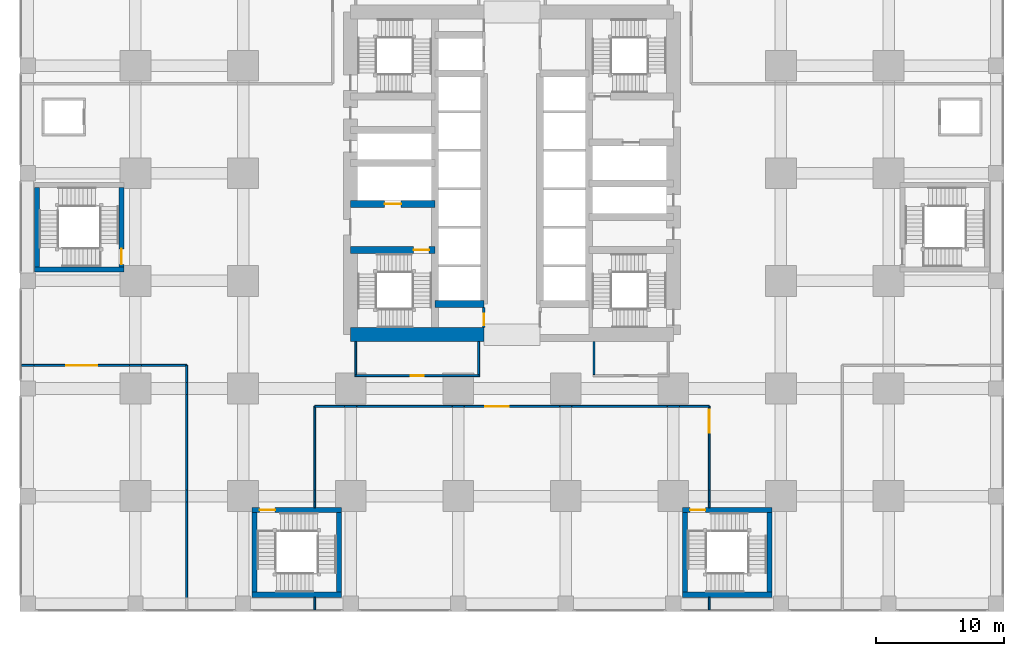
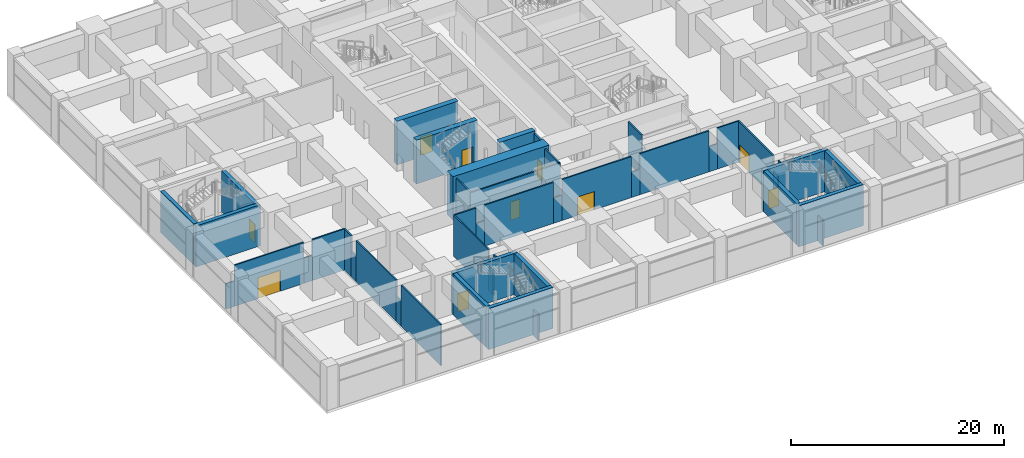
# One storey, part 36 of 48: 46 walls, 10 doors, 10 openings.
"""IFC4 building model written with IfcOpenShell, lengths in metres."""

from ifc_helpers import new_model, si_unit, direction, frame, frame_2d, origin, place, context, subcontext, project, spatial, rectangle, extrude, material, layer, layer_set, type_object, element, fill, save


model = new_model("IFC4")

# Units and contexts
model_context = context("Model", 3, precision=1e-05, world=origin(), true_north=direction((0.0, 1.0)))
body_context = subcontext(model_context, "Body", "Model", "MODEL_VIEW")
ifc_project = project(units=[si_unit("LENGTHUNIT", "METRE"), si_unit("AREAUNIT", "SQUARE_METRE"), si_unit("VOLUMEUNIT", "CUBIC_METRE"), si_unit("PLANEANGLEUNIT", "RADIAN"), si_unit("MASSUNIT", "GRAM", prefix="KILO")], contexts=[model_context])

# Site, building, storey
site_placement = place(None, origin())
site = spatial("IfcSite", under=ifc_project, at=site_placement, CompositionType="ELEMENT")
building_placement = place(site_placement, origin())
building = spatial("IfcBuilding", under=site, at=building_placement, Name="Rekha Terrace Tower", CompositionType="ELEMENT")
storey_placement = place(building_placement, frame((0.0, 0.0, 15.39990234375)))
storey = spatial("IfcBuildingStorey", under=building, at=storey_placement, Name="L03", CompositionType="ELEMENT", Elevation=15.39990234375)

# Wall
ifc_material_1 = material(Name="Concrete M70", Category="concrete")
ifc_layer_1 = layer(ifc_material_1, 0.550048828125)
ifc_layer_set_1 = layer_set([ifc_layer_1], Name="Concrete M70")
wall_type_1 = type_object("IfcWallType", Name="CI1 550 core internal shear wall", PredefinedType="SHEAR", material=ifc_layer_set_1)
wall_1_placement = place(storey_placement, frame((31.800048828125, 23.39990234375, 0.0), z_axis=(0.0, 0.0, 1.0), x_axis=(1.0, 0.0, 0.0)))
element("IfcWall", 1, at=wall_1_placement, inside=storey, type_object=wall_type_1, Name="Core wall Y234W L03", PredefinedType="SHEAR", context=body_context, shape_type="SweptSolid", body=[
    extrude(rectangle(XDim=3.800048828125, YDim=0.550048828125, at=frame_2d((1.89990234375, 0.0))), origin(), (0.0, 0.0, 1.0), 5.0),
])

# Wall, opening, door
wall_2_placement = place(storey_placement, frame((25.199951171875, 27.60009765625, 0.0), z_axis=(0.0, 0.0, 1.0), x_axis=(1.0, 0.0, 0.0)))
wall_2 = element("IfcWall", 2, at=wall_2_placement, inside=storey, type_object=wall_type_1, Name="Core wall Y276W L03", PredefinedType="SHEAR", context=body_context, shape_type="SweptSolid", body=[
    extrude(rectangle(XDim=6.60009765625, YDim=0.550048828125, at=frame_2d((3.300048828125, 0.0))), origin(), (0.0, 0.0, 1.0), 5.0),
])
opening_1_placement = place(wall_2_placement, frame((4.925048828125, 0.0, 0.0)))
opening_1 = element("IfcOpeningElement", 3, at=opening_1_placement, cuts=wall_2, Name="Opening D1", PredefinedType="OPENING", context=body_context, shape_type="SweptSolid", body=[
    extrude(rectangle(XDim=1.199951171875, YDim=2.10009765625, at=frame_2d((0.60009765625, 1.050048828125))), frame((0.0, 0.284912109375, 0.0), z_axis=(0.0, -1.0, 0.0), x_axis=(1.0, 0.0, 0.0)), (0.0, 0.0, 1.0), 0.570068359375),
])
ifc_material_2 = material(Name="Steel fire door", Category="steel")
door_type_1 = type_object("IfcDoorType", Name="D1 1200x2100 stair fire door", OperationType="SINGLE_SWING_RIGHT", PredefinedType="DOOR", material=ifc_material_2)
door_1_placement = place(opening_1_placement, origin())
door_1 = element("IfcDoor", 4, at=door_1_placement, inside=storey, type_object=door_type_1, Name="Stair ST1 door L03", OperationType="SINGLE_SWING_RIGHT", OverallHeight=2.10009765625, OverallWidth=1.199951171875, PredefinedType="DOOR", context=body_context, shape_type="SweptSolid", body=[
    extrude(rectangle(XDim=1.199951171875, YDim=2.10009765625, at=frame_2d((0.60009765625, 1.050048828125))), frame((0.0, 0.02490234375, 0.0), z_axis=(0.0, -1.0, 0.0), x_axis=(1.0, 0.0, 0.0)), (0.0, 0.0, 1.0), 0.050048828125),
])
fill(opening_1, door_1)

wall_3_placement = place(storey_placement, frame((25.199951171875, 31.199951171875, 0.0), z_axis=(0.0, 0.0, 1.0), x_axis=(1.0, 0.0, 0.0)))
wall_3 = element("IfcWall", 5, at=wall_3_placement, inside=storey, type_object=wall_type_1, Name="Core wall Y312W L03", PredefinedType="SHEAR", context=body_context, shape_type="SweptSolid", body=[
    extrude(rectangle(XDim=6.60009765625, YDim=0.550048828125, at=frame_2d((3.300048828125, 0.0))), origin(), (0.0, 0.0, 1.0), 5.0),
])
opening_2_placement = place(wall_3_placement, frame((2.64990234375, 0.0, 0.0)))
opening_2 = element("IfcOpeningElement", 6, at=opening_2_placement, cuts=wall_3, Name="Opening LD2", PredefinedType="OPENING", context=body_context, shape_type="SweptSolid", body=[
    extrude(rectangle(XDim=1.300048828125, YDim=2.10009765625, at=frame_2d((0.64990234375, 1.050048828125))), frame((0.0, 0.284912109375, 0.0), z_axis=(0.0, -1.0, 0.0), x_axis=(1.0, 0.0, 0.0)), (0.0, 0.0, 1.0), 0.570068359375),
])
ifc_material_3 = material(Name="Stainless steel sliding landing door", Category="steel")
door_type_2 = type_object("IfcDoorType", Name="LD2 1300x2100 fire lift landing door", OperationType="SLIDING_TO_LEFT", PredefinedType="USERDEFINED", material=ifc_material_3)
door_2_placement = place(opening_2_placement, origin())
door_2 = element("IfcDoor", 7, at=door_2_placement, inside=storey, type_object=door_type_2, Name="Lift FL1 landing door L03", ObjectType="LIFT LANDING DOOR", OperationType="SLIDING_TO_LEFT", OverallHeight=2.10009765625, OverallWidth=1.300048828125, PredefinedType="USERDEFINED", context=body_context, shape_type="SweptSolid", body=[
    extrude(rectangle(XDim=1.300048828125, YDim=2.10009765625, at=frame_2d((0.64990234375, 1.050048828125))), frame((0.0, 0.02490234375, 0.0), z_axis=(0.0, -1.0, 0.0), x_axis=(1.0, 0.0, 0.0)), (0.0, 0.0, 1.0), 0.050048828125),
])
fill(opening_2, door_2)

# Wall
ifc_layer_2 = layer(ifc_material_1, 1.10009765625)
ifc_layer_set_2 = layer_set([ifc_layer_2], Name="Concrete M70")
wall_type_2 = type_object("IfcWallType", Name="SW1 1100 core outer shear wall", PredefinedType="SHEAR", material=ifc_layer_set_2)
wall_4_placement = place(storey_placement, frame((25.199951171875, 21.0, 0.0), z_axis=(0.0, 0.0, 1.0), x_axis=(1.0, 0.0, 0.0)))
element("IfcWall", 8, at=wall_4_placement, inside=storey, type_object=wall_type_2, Name="Core wall S1 L03", PredefinedType="SHEAR", context=body_context, shape_type="SweptSolid", body=[
    extrude(rectangle(XDim=10.400146484375, YDim=1.10009765625, at=frame_2d((5.2001953125, 0.0))), origin(), (0.0, 0.0, 1.0), 5.0),
])

# Wall, opening, door
ifc_material_4 = material(Name="Concrete block masonry, 1 hour", Category="masonry")
ifc_layer_3 = layer(ifc_material_4, 0.14990234375)
ifc_layer_set_3 = layer_set([ifc_layer_3], Name="Concrete block masonry, 1 hour")
wall_type_3 = type_object("IfcWallType", Name="WP2 150 tenancy partition", PredefinedType="PARTITIONING", material=ifc_layer_set_3)
wall_5_placement = place(storey_placement, frame((25.52490234375, 17.800048828125, 0.0), z_axis=(0.0, 0.0, 1.0), x_axis=(1.0, 0.0, 0.0)))
wall_5 = element("IfcWall", 9, at=wall_5_placement, inside=storey, type_object=wall_type_3, Name="Men's WC wall L03", PredefinedType="PARTITIONING", context=body_context, shape_type="SweptSolid", body=[
    extrude(rectangle(XDim=9.75, YDim=0.14990234375, at=frame_2d((4.875, 0.0))), origin(), (0.0, 0.0, 1.0), 4.7001953125),
])
opening_3_placement = place(wall_5_placement, frame((4.375, 0.0, 0.0)))
opening_3 = element("IfcOpeningElement", 10, at=opening_3_placement, cuts=wall_5, Name="Opening D3", PredefinedType="OPENING", context=body_context, shape_type="SweptSolid", body=[
    extrude(rectangle(XDim=1.0, YDim=2.10009765625, at=frame_2d((0.5, 1.050048828125))), frame((0.0, 0.0849609375, 0.0), z_axis=(0.0, -1.0, 0.0), x_axis=(1.0, 0.0, 0.0)), (0.0, 0.0, 1.0), 0.169921875),
])
ifc_material_5 = material(Name="Laminated timber fire door", Category="wood")
door_type_3 = type_object("IfcDoorType", Name="D3 1000x2100 WC door", OperationType="SINGLE_SWING_LEFT", PredefinedType="DOOR", material=ifc_material_5)
door_3_placement = place(opening_3_placement, origin())
door_3 = element("IfcDoor", 11, at=door_3_placement, inside=storey, type_object=door_type_3, Name="Door men's wc L03", OperationType="SINGLE_SWING_LEFT", OverallHeight=2.10009765625, OverallWidth=1.0, PredefinedType="DOOR", context=body_context, shape_type="SweptSolid", body=[
    extrude(rectangle(XDim=1.0, YDim=2.10009765625, at=frame_2d((0.5, 1.050048828125))), frame((0.0, 0.02490234375, 0.0), z_axis=(0.0, -1.0, 0.0), x_axis=(1.0, 0.0, 0.0)), (0.0, 0.0, 1.0), 0.050048828125),
])
fill(opening_3, door_3)

# Walls
for number, where, z_axis, x_axis, name in (
    (12, (25.60009765625, 17.875, 0.0), (0.0, 0.0, 1.0), (0.0, 1.0, 0.0), "Men's WC wall L03"),
    (13, (35.199951171875, 17.875, 0.0), (0.0, 0.0, 1.0), (0.0, 1.0, 0.0), "Men's WC wall L03"),
    (14, (44.199951171875, 17.875, 0.0), (0.0, 0.0, 1.0), (0.0, 1.0, 0.0), "Men's WC wall L03"),
):
    element("IfcWall", number, at=place(storey_placement, frame(where, z_axis=z_axis, x_axis=x_axis)), inside=storey, type_object=wall_type_3, Name=name, PredefinedType="PARTITIONING", context=body_context, shape_type="SweptSolid", body=[
        extrude(rectangle(XDim=2.574951171875, YDim=0.14990234375, at=frame_2d((1.28759765625, 0.0))), origin(), (0.0, 0.0, 1.0), 4.7001953125),
    ])
wall_6_placement = place(storey_placement, frame((22.39990234375, 7.5, 0.0), z_axis=(0.0, 0.0, 1.0), x_axis=(0.0, 1.0, 0.0)))
element("IfcWall", 15, at=wall_6_placement, inside=storey, type_object=wall_type_3, Name="Partition L03-02", PredefinedType="PARTITIONING", context=body_context, shape_type="SweptSolid", body=[
    extrude(rectangle(XDim=0.43994140625, YDim=0.14990234375, at=frame_2d((0.219970703125, 0.0))), origin(), (0.0, 0.0, 1.0), 4.7001953125),
])
wall_7_placement = place(storey_placement, frame((22.39990234375, 7.93994140625, 0.0), z_axis=(0.0, 0.0, 1.0), x_axis=(0.0, 1.0, 0.0)))
element("IfcWall", 16, at=wall_7_placement, inside=storey, type_object=wall_type_3, Name="Partition L03-02", PredefinedType="PARTITIONING", context=body_context, shape_type="SweptSolid", body=[
    extrude(rectangle(XDim=0.920166015625, YDim=0.14990234375, at=frame_2d((0.4599609375, 0.0))), origin(), (0.0, 0.0, 1.0), 2.900146484375),
])
wall_8_placement = place(storey_placement, frame((22.39990234375, 8.860107421875, 0.0), z_axis=(0.0, 0.0, 1.0), x_axis=(0.0, 1.0, 0.0)))
element("IfcWall", 17, at=wall_8_placement, inside=storey, type_object=wall_type_3, Name="Partition L03-02", PredefinedType="PARTITIONING", context=body_context, shape_type="SweptSolid", body=[
    extrude(rectangle(XDim=6.539794921875, YDim=0.14990234375, at=frame_2d((3.27001953125, 0.0))), origin(), (0.0, 0.0, 1.0), 4.7001953125),
])
wall_9_placement = place(storey_placement, frame((22.39990234375, 15.39990234375, 0.0), z_axis=(0.0, 0.0, 1.0), x_axis=(1.0, 0.0, 0.0)))
element("IfcWall", 18, at=wall_9_placement, inside=storey, type_object=wall_type_3, Name="Partition L03-02", PredefinedType="PARTITIONING", context=body_context, shape_type="SweptSolid", body=[
    extrude(rectangle(XDim=2.340087890625, YDim=0.14990234375, at=frame_2d((1.169921875, 0.0))), origin(), (0.0, 0.0, 1.0), 4.7001953125),
])
wall_10_placement = place(storey_placement, frame((24.739990234375, 15.39990234375, 0.0), z_axis=(0.0, 0.0, 1.0), x_axis=(1.0, 0.0, 0.0)))
element("IfcWall", 19, at=wall_10_placement, inside=storey, type_object=wall_type_3, Name="Partition L03-02", PredefinedType="PARTITIONING", context=body_context, shape_type="SweptSolid", body=[
    extrude(rectangle(XDim=0.919921875, YDim=0.14990234375, at=frame_2d((0.4599609375, 0.0))), origin(), (0.0, 0.0, 1.0), 2.900146484375),
])
wall_11_placement = place(storey_placement, frame((25.659912109375, 15.39990234375, 0.0), z_axis=(0.0, 0.0, 1.0), x_axis=(1.0, 0.0, 0.0)))
element("IfcWall", 20, at=wall_11_placement, inside=storey, type_object=wall_type_3, Name="Partition L03-02", PredefinedType="PARTITIONING", context=body_context, shape_type="SweptSolid", body=[
    extrude(rectangle(XDim=7.47998046875, YDim=0.14990234375, at=frame_2d((3.739990234375, 0.0))), origin(), (0.0, 0.0, 1.0), 4.7001953125),
])
wall_12_placement = place(storey_placement, frame((33.139892578125, 15.39990234375, 0.0), z_axis=(0.0, 0.0, 1.0), x_axis=(1.0, 0.0, 0.0)))
element("IfcWall", 21, at=wall_12_placement, inside=storey, type_object=wall_type_3, Name="Partition L03-02", PredefinedType="PARTITIONING", context=body_context, shape_type="SweptSolid", body=[
    extrude(rectangle(XDim=0.920166015625, YDim=0.14990234375, at=frame_2d((0.4599609375, 0.0))), origin(), (0.0, 0.0, 1.0), 2.900146484375),
])

# Wall, opening, door
wall_13_placement = place(storey_placement, frame((34.06005859375, 15.39990234375, 0.0), z_axis=(0.0, 0.0, 1.0), x_axis=(1.0, 0.0, 0.0)))
wall_13 = element("IfcWall", 22, at=wall_13_placement, inside=storey, type_object=wall_type_3, Name="Partition L03-02", PredefinedType="PARTITIONING", context=body_context, shape_type="SweptSolid", body=[
    extrude(rectangle(XDim=7.47998046875, YDim=0.14990234375, at=frame_2d((3.739990234375, 0.0))), origin(), (0.0, 0.0, 1.0), 4.7001953125),
])
opening_4_placement = place(wall_13_placement, frame((1.669921875, 0.0, 0.0)))
opening_4 = element("IfcOpeningElement", 23, at=opening_4_placement, cuts=wall_13, Name="Opening D8", PredefinedType="OPENING", context=body_context, shape_type="SweptSolid", body=[
    extrude(rectangle(XDim=1.800048828125, YDim=2.10009765625, at=frame_2d((0.89990234375, 1.050048828125))), frame((0.0, 0.0849609375, 0.0), z_axis=(0.0, -1.0, 0.0), x_axis=(1.0, 0.0, 0.0)), (0.0, 0.0, 1.0), 0.169921875),
])
ifc_material_6 = material(Name="Timber fire door", Category="wood")
door_type_4 = type_object("IfcDoorType", Name="D8 1800x2100 double leaf door", OperationType="DOUBLE_DOOR_SINGLE_SWING", PredefinedType="DOOR", material=ifc_material_6)
door_4_placement = place(opening_4_placement, origin())
door_4 = element("IfcDoor", 24, at=door_4_placement, inside=storey, type_object=door_type_4, Name="Door food court dining L03", OperationType="DOUBLE_DOOR_SINGLE_SWING", OverallHeight=2.10009765625, OverallWidth=1.800048828125, PredefinedType="DOOR", context=body_context, shape_type="SweptSolid", body=[
    extrude(rectangle(XDim=1.800048828125, YDim=2.10009765625, at=frame_2d((0.89990234375, 1.050048828125))), frame((0.0, 0.02490234375, 0.0), z_axis=(0.0, -1.0, 0.0), x_axis=(1.0, 0.0, 0.0)), (0.0, 0.0, 1.0), 0.050048828125),
])
fill(opening_4, door_4)

# Walls
wall_14_placement = place(storey_placement, frame((41.5400390625, 15.39990234375, 0.0), z_axis=(0.0, 0.0, 1.0), x_axis=(1.0, 0.0, 0.0)))
element("IfcWall", 25, at=wall_14_placement, inside=storey, type_object=wall_type_3, Name="Partition L03-02", PredefinedType="PARTITIONING", context=body_context, shape_type="SweptSolid", body=[
    extrude(rectangle(XDim=0.919921875, YDim=0.14990234375, at=frame_2d((0.4599609375, 0.0))), origin(), (0.0, 0.0, 1.0), 2.900146484375),
])
wall_15_placement = place(storey_placement, frame((42.4599609375, 15.39990234375, 0.0), z_axis=(0.0, 0.0, 1.0), x_axis=(1.0, 0.0, 0.0)))
element("IfcWall", 26, at=wall_15_placement, inside=storey, type_object=wall_type_3, Name="Partition L03-02", PredefinedType="PARTITIONING", context=body_context, shape_type="SweptSolid", body=[
    extrude(rectangle(XDim=7.47998046875, YDim=0.14990234375, at=frame_2d((3.739990234375, 0.0))), origin(), (0.0, 0.0, 1.0), 4.7001953125),
])
wall_16_placement = place(storey_placement, frame((49.93994140625, 15.39990234375, 0.0), z_axis=(0.0, 0.0, 1.0), x_axis=(1.0, 0.0, 0.0)))
element("IfcWall", 27, at=wall_16_placement, inside=storey, type_object=wall_type_3, Name="Partition L03-02", PredefinedType="PARTITIONING", context=body_context, shape_type="SweptSolid", body=[
    extrude(rectangle(XDim=0.920166015625, YDim=0.14990234375, at=frame_2d((0.4599609375, 0.0))), origin(), (0.0, 0.0, 1.0), 2.900146484375),
])
wall_17_placement = place(storey_placement, frame((50.860107421875, 15.39990234375, 0.0), z_axis=(0.0, 0.0, 1.0), x_axis=(1.0, 0.0, 0.0)))
element("IfcWall", 28, at=wall_17_placement, inside=storey, type_object=wall_type_3, Name="Partition L03-02", PredefinedType="PARTITIONING", context=body_context, shape_type="SweptSolid", body=[
    extrude(rectangle(XDim=2.33984375, YDim=0.14990234375, at=frame_2d((1.169921875, 0.0))), origin(), (0.0, 0.0, 1.0), 4.7001953125),
])

# Wall, opening, door
wall_18_placement = place(storey_placement, frame((53.199951171875, 15.39990234375, 0.0), z_axis=(0.0, 0.0, 1.0), x_axis=(0.0, -1.0, 0.0)))
wall_18 = element("IfcWall", 29, at=wall_18_placement, inside=storey, type_object=wall_type_3, Name="Partition L03-02", PredefinedType="PARTITIONING", context=body_context, shape_type="SweptSolid", body=[
    extrude(rectangle(XDim=6.539794921875, YDim=0.14990234375, at=frame_2d((3.27001953125, 0.0))), origin(), (0.0, 0.0, 1.0), 4.7001953125),
])
opening_5_placement = place(wall_18_placement, frame((0.27001953125, 0.0, 0.0)))
opening_5 = element("IfcOpeningElement", 30, at=opening_5_placement, cuts=wall_18, Name="Opening D8", PredefinedType="OPENING", context=body_context, shape_type="SweptSolid", body=[
    extrude(rectangle(XDim=1.800048828125, YDim=2.10009765625, at=frame_2d((0.89990234375, 1.050048828125))), frame((0.0, 0.0849609375, 0.0), z_axis=(0.0, -1.0, 0.0), x_axis=(1.0, 0.0, 0.0)), (0.0, 0.0, 1.0), 0.169921875),
])
door_5_placement = place(opening_5_placement, origin())
door_5 = element("IfcDoor", 31, at=door_5_placement, inside=storey, type_object=door_type_4, Name="Door food court dining L03", OperationType="DOUBLE_DOOR_SINGLE_SWING", OverallHeight=2.10009765625, OverallWidth=1.800048828125, PredefinedType="DOOR", context=body_context, shape_type="SweptSolid", body=[
    extrude(rectangle(XDim=1.800048828125, YDim=2.10009765625, at=frame_2d((0.89990234375, 1.050048828125))), frame((0.0, 0.02490234375, 0.0), z_axis=(0.0, -1.0, 0.0), x_axis=(1.0, 0.0, 0.0)), (0.0, 0.0, 1.0), 0.050048828125),
])
fill(opening_5, door_5)

# Walls
wall_19_placement = place(storey_placement, frame((53.199951171875, 8.860107421875, 0.0), z_axis=(0.0, 0.0, 1.0), x_axis=(0.0, -1.0, 0.0)))
element("IfcWall", 32, at=wall_19_placement, inside=storey, type_object=wall_type_3, Name="Partition L03-02", PredefinedType="PARTITIONING", context=body_context, shape_type="SweptSolid", body=[
    extrude(rectangle(XDim=0.920166015625, YDim=0.14990234375, at=frame_2d((0.4599609375, 0.0))), origin(), (0.0, 0.0, 1.0), 2.900146484375),
])
wall_20_placement = place(storey_placement, frame((53.199951171875, 7.93994140625, 0.0), z_axis=(0.0, 0.0, 1.0), x_axis=(0.0, -1.0, 0.0)))
element("IfcWall", 33, at=wall_20_placement, inside=storey, type_object=wall_type_3, Name="Partition L03-02", PredefinedType="PARTITIONING", context=body_context, shape_type="SweptSolid", body=[
    extrude(rectangle(XDim=0.43994140625, YDim=0.14990234375, at=frame_2d((0.219970703125, 0.0))), origin(), (0.0, 0.0, 1.0), 4.7001953125),
])
for number, where, z_axis, x_axis, name in (
    (34, (53.199951171875, 0.5, 0.0), (0.0, 0.0, 1.0), (0.0, -1.0, 0.0), "Partition L03-02"),
    (35, (22.39990234375, -0.489990234375, 0.0), (0.0, 0.0, 1.0), (0.0, 1.0, 0.0), "Partition L03-02"),
):
    element("IfcWall", number, at=place(storey_placement, frame(where, z_axis=z_axis, x_axis=x_axis)), inside=storey, type_object=wall_type_3, Name=name, PredefinedType="PARTITIONING", context=body_context, shape_type="SweptSolid", body=[
        extrude(rectangle(XDim=0.989990234375, YDim=0.14990234375, at=frame_2d((0.4951171875, 0.0))), origin(), (0.0, 0.0, 1.0), 2.900146484375),
    ])
wall_21_placement = place(storey_placement, frame((-0.489990234375, 18.60009765625, 0.0), z_axis=(0.0, 0.0, 1.0), x_axis=(1.0, 0.0, 0.0)))
element("IfcWall", 36, at=wall_21_placement, inside=storey, type_object=wall_type_3, Name="Partition L03-05", PredefinedType="PARTITIONING", context=body_context, shape_type="SweptSolid", body=[
    extrude(rectangle(XDim=0.949951171875, YDim=0.14990234375, at=frame_2d((0.47509765625, 0.0))), origin(), (0.0, 0.0, 1.0), 2.900146484375),
])

# Wall, opening, door
wall_22_placement = place(storey_placement, frame((0.4599609375, 18.60009765625, 0.0), z_axis=(0.0, 0.0, 1.0), x_axis=(1.0, 0.0, 0.0)))
wall_22 = element("IfcWall", 37, at=wall_22_placement, inside=storey, type_object=wall_type_3, Name="Partition L03-05", PredefinedType="PARTITIONING", context=body_context, shape_type="SweptSolid", body=[
    extrude(rectangle(XDim=7.47998046875, YDim=0.14990234375, at=frame_2d((3.739990234375, 0.0))), origin(), (0.0, 0.0, 1.0), 4.7001953125),
])
opening_6_placement = place(wall_22_placement, frame((2.5400390625, 0.0, 0.0)))
opening_6 = element("IfcOpeningElement", 38, at=opening_6_placement, cuts=wall_22, Name="Opening D7", PredefinedType="OPENING", context=body_context, shape_type="SweptSolid", body=[
    extrude(rectangle(XDim=2.39990234375, YDim=2.39990234375, at=frame_2d((1.199951171875, 1.199951171875))), frame((0.0, 0.0849609375, 0.0), z_axis=(0.0, -1.0, 0.0), x_axis=(1.0, 0.0, 0.0)), (0.0, 0.0, 1.0), 0.169921875),
])
ifc_material_7 = material(Name="Glazed aluminium door", Category="aluminium")
door_type_5 = type_object("IfcDoorType", Name="D7 2400x2400 shopfront double door", OperationType="DOUBLE_DOOR_SINGLE_SWING", PredefinedType="DOOR", material=ifc_material_7)
door_6_placement = place(opening_6_placement, origin())
door_6 = element("IfcDoor", 39, at=door_6_placement, inside=storey, type_object=door_type_5, Name="Door retail unit 14 L03", OperationType="DOUBLE_DOOR_SINGLE_SWING", OverallHeight=2.39990234375, OverallWidth=2.39990234375, PredefinedType="DOOR", context=body_context, shape_type="SweptSolid", body=[
    extrude(rectangle(XDim=2.39990234375, YDim=2.39990234375, at=frame_2d((1.199951171875, 1.199951171875))), frame((0.0, 0.02490234375, 0.0), z_axis=(0.0, -1.0, 0.0), x_axis=(1.0, 0.0, 0.0)), (0.0, 0.0, 1.0), 0.050048828125),
])
fill(opening_6, door_6)

# Walls
wall_23_placement = place(storey_placement, frame((7.93994140625, 18.60009765625, 0.0), z_axis=(0.0, 0.0, 1.0), x_axis=(1.0, 0.0, 0.0)))
element("IfcWall", 40, at=wall_23_placement, inside=storey, type_object=wall_type_3, Name="Partition L03-05", PredefinedType="PARTITIONING", context=body_context, shape_type="SweptSolid", body=[
    extrude(rectangle(XDim=0.920166015625, YDim=0.14990234375, at=frame_2d((0.4599609375, 0.0))), origin(), (0.0, 0.0, 1.0), 2.900146484375),
])
wall_24_placement = place(storey_placement, frame((8.860107421875, 18.60009765625, 0.0), z_axis=(0.0, 0.0, 1.0), x_axis=(1.0, 0.0, 0.0)))
element("IfcWall", 41, at=wall_24_placement, inside=storey, type_object=wall_type_3, Name="Partition L03-05", PredefinedType="PARTITIONING", context=body_context, shape_type="SweptSolid", body=[
    extrude(rectangle(XDim=3.539794921875, YDim=0.14990234375, at=frame_2d((1.77001953125, 0.0))), origin(), (0.0, 0.0, 1.0), 4.7001953125),
])
wall_25_placement = place(storey_placement, frame((12.39990234375, 18.60009765625, 0.0), z_axis=(0.0, 0.0, 1.0), x_axis=(0.0, -1.0, 0.0)))
element("IfcWall", 42, at=wall_25_placement, inside=storey, type_object=wall_type_3, Name="Partition L03-05", PredefinedType="PARTITIONING", context=body_context, shape_type="SweptSolid", body=[
    extrude(rectangle(XDim=1.340087890625, YDim=0.14990234375, at=frame_2d((0.669921875, 0.0))), origin(), (0.0, 0.0, 1.0), 4.7001953125),
])
wall_26_placement = place(storey_placement, frame((12.39990234375, 17.260009765625, 0.0), z_axis=(0.0, 0.0, 1.0), x_axis=(0.0, -1.0, 0.0)))
element("IfcWall", 43, at=wall_26_placement, inside=storey, type_object=wall_type_3, Name="Partition L03-05", PredefinedType="PARTITIONING", context=body_context, shape_type="SweptSolid", body=[
    extrude(rectangle(XDim=0.919921875, YDim=0.14990234375, at=frame_2d((0.4599609375, 0.0))), origin(), (0.0, 0.0, 1.0), 2.900146484375),
])
wall_27_placement = place(storey_placement, frame((12.39990234375, 16.340087890625, 0.0), z_axis=(0.0, 0.0, 1.0), x_axis=(0.0, -1.0, 0.0)))
element("IfcWall", 44, at=wall_27_placement, inside=storey, type_object=wall_type_3, Name="Partition L03-05", PredefinedType="PARTITIONING", context=body_context, shape_type="SweptSolid", body=[
    extrude(rectangle(XDim=7.47998046875, YDim=0.14990234375, at=frame_2d((3.739990234375, 0.0))), origin(), (0.0, 0.0, 1.0), 4.7001953125),
])
wall_28_placement = place(storey_placement, frame((12.39990234375, 8.860107421875, 0.0), z_axis=(0.0, 0.0, 1.0), x_axis=(0.0, -1.0, 0.0)))
element("IfcWall", 45, at=wall_28_placement, inside=storey, type_object=wall_type_3, Name="Partition L03-05", PredefinedType="PARTITIONING", context=body_context, shape_type="SweptSolid", body=[
    extrude(rectangle(XDim=0.920166015625, YDim=0.14990234375, at=frame_2d((0.4599609375, 0.0))), origin(), (0.0, 0.0, 1.0), 2.900146484375),
])
wall_29_placement = place(storey_placement, frame((12.39990234375, 7.93994140625, 0.0), z_axis=(0.0, 0.0, 1.0), x_axis=(0.0, -1.0, 0.0)))
element("IfcWall", 46, at=wall_29_placement, inside=storey, type_object=wall_type_3, Name="Partition L03-05", PredefinedType="PARTITIONING", context=body_context, shape_type="SweptSolid", body=[
    extrude(rectangle(XDim=7.47998046875, YDim=0.14990234375, at=frame_2d((3.739990234375, 0.0))), origin(), (0.0, 0.0, 1.0), 4.7001953125),
])

# Wall, opening, door
ifc_material_8 = material(Name="Solid concrete block masonry, 2 hour", Category="masonry")
ifc_layer_4 = layer(ifc_material_8, 0.199951171875)
ifc_layer_set_4 = layer_set([ifc_layer_4], Name="Solid concrete block masonry, 2 hour")
wall_type_4 = type_object("IfcWallType", Name="WS1 200 stair and shaft enclosure", PredefinedType="PARTITIONING", material=ifc_layer_set_4)
wall_30_placement = place(storey_placement, frame((35.60009765625, 21.550048828125, 0.0), z_axis=(0.0, 0.0, 1.0), x_axis=(0.0, 1.0, 0.0)))
wall_30 = element("IfcWall", 47, at=wall_30_placement, inside=storey, type_object=wall_type_4, Name="Core partition west L03", PredefinedType="PARTITIONING", context=body_context, shape_type="SweptSolid", body=[
    extrude(rectangle(XDim=1.574951171875, YDim=0.199951171875, at=frame_2d((0.78759765625, 0.0))), origin(), (0.0, 0.0, 1.0), 4.7001953125),
])
opening_7_placement = place(wall_30_placement, frame((0.199951171875, 0.0, 0.0)))
opening_7 = element("IfcOpeningElement", 48, at=opening_7_placement, cuts=wall_30, Name="Opening D5", PredefinedType="OPENING", context=body_context, shape_type="SweptSolid", body=[
    extrude(rectangle(XDim=0.89990234375, YDim=2.10009765625, at=frame_2d((0.449951171875, 1.050048828125))), frame((0.0, 0.10986328125, 0.0), z_axis=(0.0, -1.0, 0.0), x_axis=(1.0, 0.0, 0.0)), (0.0, 0.0, 1.0), 0.219970703125),
])
door_type_6 = type_object("IfcDoorType", Name="D5 900x2100 riser access door", OperationType="SINGLE_SWING_LEFT", PredefinedType="DOOR", material=ifc_material_2)
door_7_placement = place(opening_7_placement, origin())
door_7 = element("IfcDoor", 49, at=door_7_placement, inside=storey, type_object=door_type_6, Name="Door tenant store L03", OperationType="SINGLE_SWING_LEFT", OverallHeight=2.10009765625, OverallWidth=0.89990234375, PredefinedType="DOOR", context=body_context, shape_type="SweptSolid", body=[
    extrude(rectangle(XDim=0.89990234375, YDim=2.10009765625, at=frame_2d((0.449951171875, 1.050048828125))), frame((0.0, 0.02490234375, 0.0), z_axis=(0.0, -1.0, 0.0), x_axis=(1.0, 0.0, 0.0)), (0.0, 0.0, 1.0), 0.050048828125),
])
fill(opening_7, door_7)

# Walls
ifc_material_9 = material(Name="Concrete M60", Category="concrete")
ifc_layer_5 = layer(ifc_material_9, 0.39990234375)
ifc_layer_set_5 = layer_set([ifc_layer_5], Name="Concrete M60")
wall_type_5 = type_object("IfcWallType", Name="WS3 400 RC podium stair wall", PredefinedType="SOLIDWALL", material=ifc_layer_set_5)
wall_31_placement = place(storey_placement, frame((0.5, 26.10009765625, 0.0), z_axis=(0.0, 0.0, 1.0), x_axis=(1.0, 0.0, 0.0)))
element("IfcWall", 50, at=wall_31_placement, inside=storey, type_object=wall_type_5, Name="Stair SP1 south wall", PredefinedType="SOLIDWALL", context=body_context, shape_type="SweptSolid", body=[
    extrude(rectangle(XDim=7.0, YDim=0.39990234375, at=frame_2d((3.5, 0.0))), origin(), (0.0, 0.0, 1.0), 4.7001953125),
])
wall_32_placement = place(storey_placement, frame((0.699951171875, 26.300048828125, 0.0), z_axis=(0.0, 0.0, 1.0), x_axis=(0.0, 1.0, 0.0)))
element("IfcWall", 51, at=wall_32_placement, inside=storey, type_object=wall_type_5, Name="Stair SP1 west wall", PredefinedType="SOLIDWALL", context=body_context, shape_type="SweptSolid", body=[
    extrude(rectangle(XDim=6.199951171875, YDim=0.39990234375, at=frame_2d((3.10009765625, 0.0))), origin(), (0.0, 0.0, 1.0), 4.7001953125),
])

# Wall, opening, door
wall_33_placement = place(storey_placement, frame((7.300048828125, 26.300048828125, 0.0), z_axis=(0.0, 0.0, 1.0), x_axis=(0.0, 1.0, 0.0)))
wall_33 = element("IfcWall", 52, at=wall_33_placement, inside=storey, type_object=wall_type_5, Name="Stair SP1 east wall", PredefinedType="SOLIDWALL", context=body_context, shape_type="SweptSolid", body=[
    extrude(rectangle(XDim=6.199951171875, YDim=0.39990234375, at=frame_2d((3.10009765625, 0.0))), origin(), (0.0, 0.0, 1.0), 4.7001953125),
])
opening_8_placement = place(wall_33_placement, frame((0.199951171875, 0.0, 0.0)))
opening_8 = element("IfcOpeningElement", 53, at=opening_8_placement, cuts=wall_33, Name="Opening D1", PredefinedType="OPENING", context=body_context, shape_type="SweptSolid", body=[
    extrude(rectangle(XDim=1.199951171875, YDim=2.10009765625, at=frame_2d((0.60009765625, 1.050048828125))), frame((0.0, 0.2099609375, 0.0), z_axis=(0.0, -1.0, 0.0), x_axis=(1.0, 0.0, 0.0)), (0.0, 0.0, 1.0), 0.419921875),
])
door_8_placement = place(opening_8_placement, origin())
door_8 = element("IfcDoor", 54, at=door_8_placement, inside=storey, type_object=door_type_1, Name="Stair SP1 door L03", OperationType="SINGLE_SWING_RIGHT", OverallHeight=2.10009765625, OverallWidth=1.199951171875, PredefinedType="DOOR", context=body_context, shape_type="SweptSolid", body=[
    extrude(rectangle(XDim=1.199951171875, YDim=2.10009765625, at=frame_2d((0.60009765625, 1.050048828125))), frame((0.0, 0.02490234375, 0.0), z_axis=(0.0, -1.0, 0.0), x_axis=(1.0, 0.0, 0.0)), (0.0, 0.0, 1.0), 0.050048828125),
])
fill(opening_8, door_8)

# Wall
wall_34_placement = place(storey_placement, frame((17.5, 0.699951171875, 0.0), z_axis=(0.0, 0.0, 1.0), x_axis=(1.0, 0.0, 0.0)))
element("IfcWall", 55, at=wall_34_placement, inside=storey, type_object=wall_type_5, Name="Stair SP3 south wall", PredefinedType="SOLIDWALL", context=body_context, shape_type="SweptSolid", body=[
    extrude(rectangle(XDim=7.0, YDim=0.39990234375, at=frame_2d((3.5, 0.0))), origin(), (0.0, 0.0, 1.0), 4.7001953125),
])

# Wall, opening, door
wall_35_placement = place(storey_placement, frame((17.5, 7.300048828125, 0.0), z_axis=(0.0, 0.0, 1.0), x_axis=(1.0, 0.0, 0.0)))
wall_35 = element("IfcWall", 56, at=wall_35_placement, inside=storey, type_object=wall_type_5, Name="Stair SP3 north wall", PredefinedType="SOLIDWALL", context=body_context, shape_type="SweptSolid", body=[
    extrude(rectangle(XDim=7.0, YDim=0.39990234375, at=frame_2d((3.5, 0.0))), origin(), (0.0, 0.0, 1.0), 4.7001953125),
])
opening_9_placement = place(wall_35_placement, frame((0.60009765625, 0.0, 0.0)))
opening_9 = element("IfcOpeningElement", 57, at=opening_9_placement, cuts=wall_35, Name="Opening D1", PredefinedType="OPENING", context=body_context, shape_type="SweptSolid", body=[
    extrude(rectangle(XDim=1.199951171875, YDim=2.10009765625, at=frame_2d((0.60009765625, 1.050048828125))), frame((0.0, 0.2099609375, 0.0), z_axis=(0.0, -1.0, 0.0), x_axis=(1.0, 0.0, 0.0)), (0.0, 0.0, 1.0), 0.419921875),
])
door_9_placement = place(opening_9_placement, origin())
door_9 = element("IfcDoor", 58, at=door_9_placement, inside=storey, type_object=door_type_1, Name="Stair SP3 door L03", OperationType="SINGLE_SWING_RIGHT", OverallHeight=2.10009765625, OverallWidth=1.199951171875, PredefinedType="DOOR", context=body_context, shape_type="SweptSolid", body=[
    extrude(rectangle(XDim=1.199951171875, YDim=2.10009765625, at=frame_2d((0.60009765625, 1.050048828125))), frame((0.0, 0.02490234375, 0.0), z_axis=(0.0, -1.0, 0.0), x_axis=(1.0, 0.0, 0.0)), (0.0, 0.0, 1.0), 0.050048828125),
])
fill(opening_9, door_9)

# Walls
for number, where, z_axis, x_axis, name in (
    (59, (17.699951171875, 0.89990234375, 0.0), (0.0, 0.0, 1.0), (0.0, 1.0, 0.0), "Stair SP3 west wall"),
    (60, (24.300048828125, 0.89990234375, 0.0), (0.0, 0.0, 1.0), (0.0, 1.0, 0.0), "Stair SP3 east wall"),
):
    element("IfcWall", number, at=place(storey_placement, frame(where, z_axis=z_axis, x_axis=x_axis)), inside=storey, type_object=wall_type_5, Name=name, PredefinedType="SOLIDWALL", context=body_context, shape_type="SweptSolid", body=[
        extrude(rectangle(XDim=6.2001953125, YDim=0.39990234375, at=frame_2d((3.10009765625, 0.0))), origin(), (0.0, 0.0, 1.0), 4.7001953125),
    ])
wall_36_placement = place(storey_placement, frame((51.10009765625, 0.699951171875, 0.0), z_axis=(0.0, 0.0, 1.0), x_axis=(1.0, 0.0, 0.0)))
element("IfcWall", 61, at=wall_36_placement, inside=storey, type_object=wall_type_5, Name="Stair SP4 south wall", PredefinedType="SOLIDWALL", context=body_context, shape_type="SweptSolid", body=[
    extrude(rectangle(XDim=7.0, YDim=0.39990234375, at=frame_2d((3.5, 0.0))), origin(), (0.0, 0.0, 1.0), 4.7001953125),
])

# Wall, opening, door
wall_37_placement = place(storey_placement, frame((51.10009765625, 7.300048828125, 0.0), z_axis=(0.0, 0.0, 1.0), x_axis=(1.0, 0.0, 0.0)))
wall_37 = element("IfcWall", 62, at=wall_37_placement, inside=storey, type_object=wall_type_5, Name="Stair SP4 north wall", PredefinedType="SOLIDWALL", context=body_context, shape_type="SweptSolid", body=[
    extrude(rectangle(XDim=7.0, YDim=0.39990234375, at=frame_2d((3.5, 0.0))), origin(), (0.0, 0.0, 1.0), 4.7001953125),
])
opening_10_placement = place(wall_37_placement, frame((0.60009765625, 0.0, 0.0)))
opening_10 = element("IfcOpeningElement", 63, at=opening_10_placement, cuts=wall_37, Name="Opening D1", PredefinedType="OPENING", context=body_context, shape_type="SweptSolid", body=[
    extrude(rectangle(XDim=1.199951171875, YDim=2.10009765625, at=frame_2d((0.60009765625, 1.050048828125))), frame((0.0, 0.2099609375, 0.0), z_axis=(0.0, -1.0, 0.0), x_axis=(1.0, 0.0, 0.0)), (0.0, 0.0, 1.0), 0.419921875),
])
door_10_placement = place(opening_10_placement, origin())
door_10 = element("IfcDoor", 64, at=door_10_placement, inside=storey, type_object=door_type_1, Name="Stair SP4 door L03", OperationType="SINGLE_SWING_RIGHT", OverallHeight=2.10009765625, OverallWidth=1.199951171875, PredefinedType="DOOR", context=body_context, shape_type="SweptSolid", body=[
    extrude(rectangle(XDim=1.199951171875, YDim=2.10009765625, at=frame_2d((0.60009765625, 1.050048828125))), frame((0.0, 0.02490234375, 0.0), z_axis=(0.0, -1.0, 0.0), x_axis=(1.0, 0.0, 0.0)), (0.0, 0.0, 1.0), 0.050048828125),
])
fill(opening_10, door_10)

# Walls
for number, where, z_axis, x_axis, name in (
    (65, (51.300048828125, 0.89990234375, 0.0), (0.0, 0.0, 1.0), (0.0, 1.0, 0.0), "Stair SP4 west wall"),
    (66, (57.89990234375, 0.89990234375, 0.0), (0.0, 0.0, 1.0), (0.0, 1.0, 0.0), "Stair SP4 east wall"),
):
    element("IfcWall", number, at=place(storey_placement, frame(where, z_axis=z_axis, x_axis=x_axis)), inside=storey, type_object=wall_type_5, Name=name, PredefinedType="SOLIDWALL", context=body_context, shape_type="SweptSolid", body=[
        extrude(rectangle(XDim=6.2001953125, YDim=0.39990234375, at=frame_2d((3.10009765625, 0.0))), origin(), (0.0, 0.0, 1.0), 4.7001953125),
    ])

save(model, "model.ifc")
